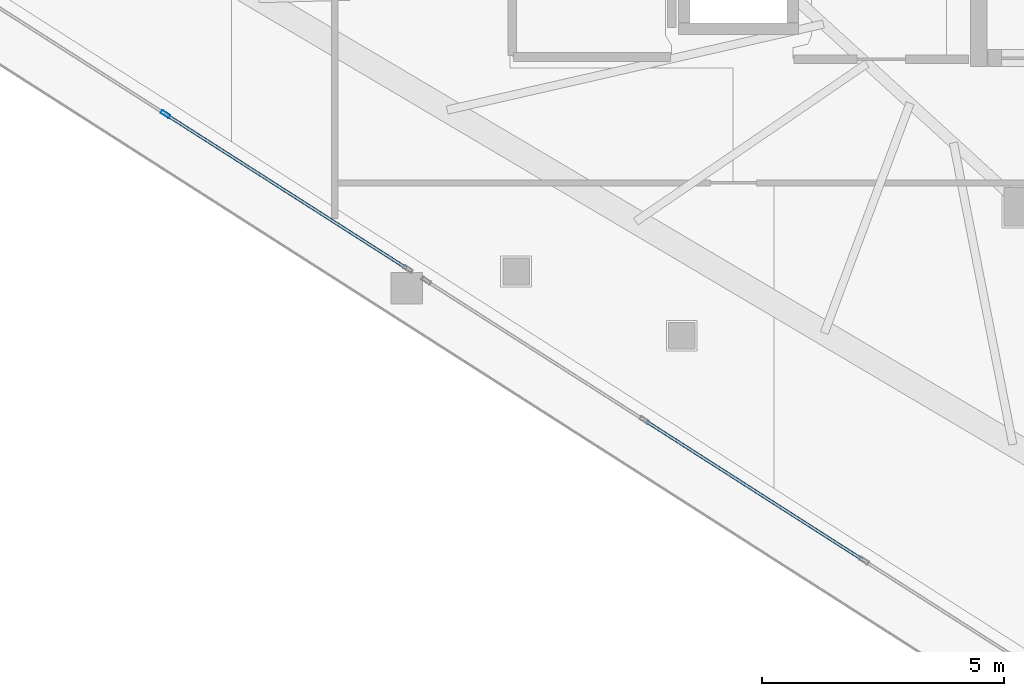
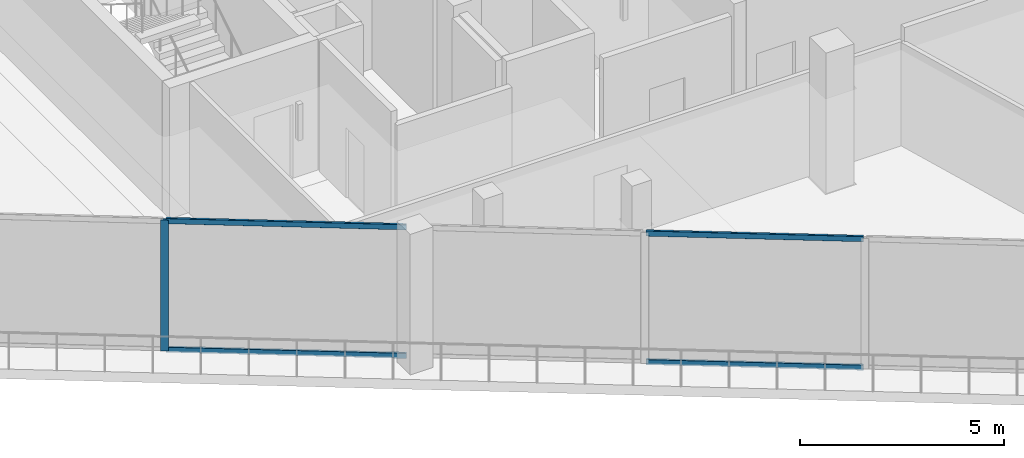
# One storey, part 2 of 31: 5 members, 2 elements without a shape of their own.
"""IFC4 building model written with IfcOpenShell, lengths in metres."""

from ifc_helpers import new_model, si_unit, direction, frame, origin, origin_2d, place, context, subcontext, project, spatial, hollow_rectangle, extrude, material, layer, layer_set, material_profile, profile_set, type_object, element, aggregate, save


model = new_model("IFC4")

# Units and contexts
model_context = context("Model", 3, precision=1e-05, world=origin(), true_north=direction((0.0, 1.0)))
body_context = subcontext(model_context, "Body", "Model", "MODEL_VIEW")
ifc_project = project(units=[si_unit("LENGTHUNIT", "METRE"), si_unit("AREAUNIT", "SQUARE_METRE"), si_unit("VOLUMEUNIT", "CUBIC_METRE"), si_unit("PLANEANGLEUNIT", "RADIAN"), si_unit("MASSUNIT", "GRAM", prefix="KILO")], contexts=[model_context])

# Site, building, storey
site_placement = place(None, origin())
site = spatial("IfcSite", under=ifc_project, at=site_placement, CompositionType="ELEMENT")
building_placement = place(site_placement, origin())
building = spatial("IfcBuilding", under=site, at=building_placement, Name="Qorvath Tower", CompositionType="ELEMENT")
storey_placement = place(building_placement, frame((0.0, 0.0, 259.800048828125)))
storey = spatial("IfcBuildingStorey", under=building, at=storey_placement, Name="L60", CompositionType="ELEMENT", Elevation=259.800048828125)

# Curtain wall, members
ifc_material_1 = material(Name="Anodised aluminium and triple low-E glass", Category="aluminium")
ifc_layer = layer(ifc_material_1, 0.179931640625)
ifc_layer_set = layer_set([ifc_layer], Name="CW-SYS-4")
curtain_wall_type = type_object("IfcCurtainWallType", Name="CW-SYS-4", PredefinedType="NOTDEFINED", material=ifc_layer_set)
curtain_wall_1_placement = place(storey_placement, origin())
curtain_wall_1 = element("IfcCurtainWall", 1, at=curtain_wall_1_placement, inside=storey, type_object=curtain_wall_type, Name="Curtain Wall CW-4 CW-T-L60-2.1", PredefinedType="NOTDEFINED")
ifc_material_2 = material(Name="Anodised aluminium 6063-T6", Category="aluminium")
ifc_material_profile_1 = material_profile(ifc_material_2, hollow_rectangle(XDim=0.074951171875, YDim=0.199951171875, WallThickness=0.00390625, InnerFilletRadius=0.00390625, OuterFilletRadius=0.008056640625, at=origin_2d()), Name="CWM 200x75")
ifc_profile_set_1 = profile_set([ifc_material_profile_1], Name="Anodised aluminium 6063-T6")
member_type_1 = type_object("IfcMemberType", Name="CWM-200", PredefinedType="MULLION", material=ifc_profile_set_1)
member_1_placement = place(storey_placement, frame((-41.3623046875, -9.534912109375, 0.0), z_axis=(0.0, 0.0, 1.0), x_axis=(0.538528809945, 0.84260709756, 0.0)))
member_1 = element("IfcMember", 2, at=member_1_placement, type_object=member_type_1, Name="CW-4 mullion 3", PredefinedType="MULLION", context=body_context, shape_type="SweptSolid", body=[
    extrude(hollow_rectangle(XDim=0.074951171875, YDim=0.199951171875, WallThickness=0.00390625, InnerFilletRadius=0.00390625, OuterFilletRadius=0.008056640625, at=origin_2d()), origin(), (0.0, 0.0, 1.0), 3.909912109375),
])
ifc_material_3 = material(Name="Anodised aluminium 6063-T6", Category="aluminium")
ifc_material_profile_2 = material_profile(ifc_material_3, hollow_rectangle(XDim=0.06494140625, YDim=0.159912109375, WallThickness=0.00341796875, InnerFilletRadius=0.00341796875, OuterFilletRadius=0.007080078125, at=origin_2d()), Name="CWT 160x65")
ifc_profile_set_2 = profile_set([ifc_material_profile_2], Name="Anodised aluminium 6063-T6")
member_type_2 = type_object("IfcMemberType", Name="CWT-160", PredefinedType="USERDEFINED", material=ifc_profile_set_2)
member_2_placement = place(storey_placement, frame((-41.330810546875, -9.55517578125, 0.032470703125), z_axis=(0.842602679805, -0.538535722106, 0.0), x_axis=(0.538535722106, 0.842602679805, 0.0)))
member_2 = element("IfcMember", 3, at=member_2_placement, type_object=member_type_2, Name="CW-4 transom 3.1", ObjectType="TRANSOM", PredefinedType="USERDEFINED", context=body_context, shape_type="SweptSolid", body=[
    extrude(hollow_rectangle(XDim=0.06494140625, YDim=0.159912109375, WallThickness=0.00341796875, InnerFilletRadius=0.00341796875, OuterFilletRadius=0.007080078125, at=origin_2d()), origin(), (0.0, 0.0, 1.0), 5.88623046875),
])
member_3_placement = place(storey_placement, frame((-41.330810546875, -9.55517578125, 3.87744140625), z_axis=(0.842602679805, -0.538535722106, 0.0), x_axis=(0.538535722106, 0.842602679805, 0.0)))
member_3 = element("IfcMember", 4, at=member_3_placement, type_object=member_type_2, Name="CW-4 transom 3.2", ObjectType="TRANSOM", PredefinedType="USERDEFINED", context=body_context, shape_type="SweptSolid", body=[
    extrude(hollow_rectangle(XDim=0.06494140625, YDim=0.159912109375, WallThickness=0.00341796875, InnerFilletRadius=0.00341796875, OuterFilletRadius=0.007080078125, at=origin_2d()), origin(), (0.0, 0.0, 1.0), 5.88623046875),
])
aggregate(curtain_wall_1, [member_1, member_2, member_3])

curtain_wall_2_placement = place(storey_placement, origin())
curtain_wall_2 = element("IfcCurtainWall", 5, at=curtain_wall_2_placement, inside=storey, type_object=curtain_wall_type, Name="Curtain Wall CW-4 CW-T-L60-2.2", PredefinedType="NOTDEFINED")
member_4_placement = place(storey_placement, frame((-31.4150390625, -15.892578125, 0.032470703125), z_axis=(0.842600287474, -0.538539465173, 0.0), x_axis=(0.538539465173, 0.842600287474, 0.0)))
member_4 = element("IfcMember", 6, at=member_4_placement, type_object=member_type_2, Name="CW-4 transom 2.1", ObjectType="TRANSOM", PredefinedType="USERDEFINED", context=body_context, shape_type="SweptSolid", body=[
    extrude(hollow_rectangle(XDim=0.06494140625, YDim=0.159912109375, WallThickness=0.00341796875, InnerFilletRadius=0.00341796875, OuterFilletRadius=0.007080078125, at=origin_2d()), origin(), (0.0, 0.0, 1.0), 5.32275390625),
])
member_5_placement = place(storey_placement, frame((-31.4150390625, -15.892578125, 3.87744140625), z_axis=(0.842600287474, -0.538539465173, 0.0), x_axis=(0.538539465173, 0.842600287474, 0.0)))
member_5 = element("IfcMember", 7, at=member_5_placement, type_object=member_type_2, Name="CW-4 transom 2.2", ObjectType="TRANSOM", PredefinedType="USERDEFINED", context=body_context, shape_type="SweptSolid", body=[
    extrude(hollow_rectangle(XDim=0.06494140625, YDim=0.159912109375, WallThickness=0.00341796875, InnerFilletRadius=0.00341796875, OuterFilletRadius=0.007080078125, at=origin_2d()), origin(), (0.0, 0.0, 1.0), 5.32275390625),
])
aggregate(curtain_wall_2, [member_4, member_5])

save(model, "model.ifc")
